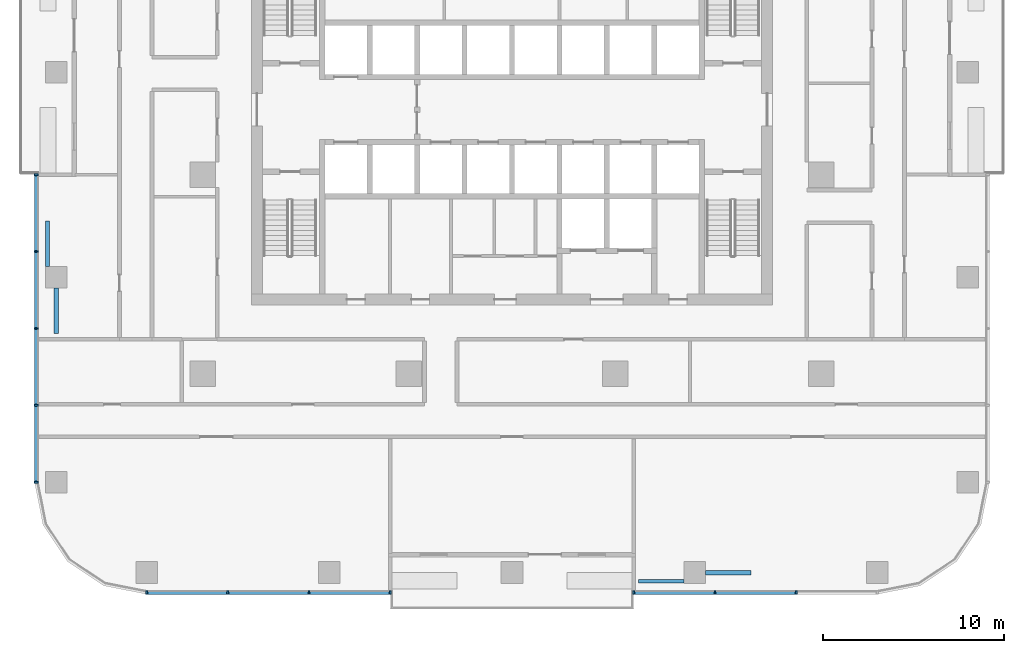
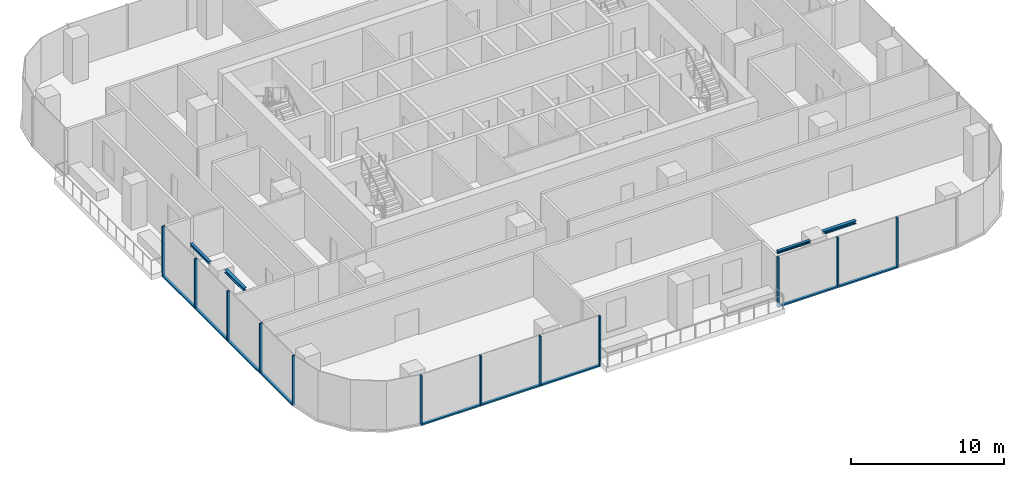
# One storey, part 2 of 15: 21 members, 4 beams, 3 elements without a shape of their own.
"""IFC4 building model written with IfcOpenShell, lengths in metres."""

from ifc_helpers import new_model, si_unit, direction, frame, origin, origin_2d, place, context, subcontext, project, spatial, rectangle, i_section, extrude, material, material_profile, profile_set, type_object, element, aggregate, save


model = new_model("IFC4")

# Units and contexts
model_context = context("Model", 3, precision=1e-05, world=origin(), true_north=direction((0.0, 1.0)))
body_context = subcontext(model_context, "Body", "Model", "MODEL_VIEW")
ifc_project = project(units=[si_unit("LENGTHUNIT", "METRE"), si_unit("AREAUNIT", "SQUARE_METRE"), si_unit("VOLUMEUNIT", "CUBIC_METRE"), si_unit("PLANEANGLEUNIT", "RADIAN"), si_unit("MASSUNIT", "GRAM", prefix="KILO")], contexts=[model_context])

# Site, building, storey
site_placement = place(None, origin())
site = spatial("IfcSite", under=ifc_project, at=site_placement, CompositionType="ELEMENT")
building_placement = place(site_placement, origin())
building = spatial("IfcBuilding", under=site, at=building_placement, Name="Mopane Tessera Tower", CompositionType="ELEMENT")
storey_placement = place(building_placement, frame((0.0, 0.0, 177.0)))
storey = spatial("IfcBuildingStorey", under=building, at=storey_placement, Name="L36", CompositionType="ELEMENT", Elevation=177.0)

# Curtain wall, members
ifc_material_1 = material(Name="Aluminium frame", Category="aluminium")
curtain_wall_type = type_object("IfcCurtainWallType", Name="Unitised curtain wall", PredefinedType="NOTDEFINED", material=ifc_material_1)
curtain_wall_1_placement = place(storey_placement, origin())
curtain_wall_1 = element("IfcCurtainWall", 1, at=curtain_wall_1_placement, inside=storey, type_object=curtain_wall_type, Name="e:cw:L36:S:0", PredefinedType="NOTDEFINED")
ifc_material_2 = material(Name="Aluminium frame", Category="aluminium")
ifc_material_profile_1 = material_profile(ifc_material_2, rectangle(XDim=0.10009765625, YDim=0.199951171875, at=origin_2d()))
ifc_profile_set_1 = profile_set([ifc_material_profile_1], Name="Aluminium frame")
member_type_1 = type_object("IfcMemberType", Name="Aluminium mullion 100 x 200", PredefinedType="MULLION", material=ifc_profile_set_1)
member_1_placement = place(storey_placement, frame((-20.199951171875, -23.10009765625, -0.39990234375), z_axis=(0.0, 0.0, 1.0), x_axis=(1.0, 0.0, 0.0)))
member_1 = element("IfcMember", 2, at=member_1_placement, type_object=member_type_1, Name="e:cw:L36:S:0:mu0", PredefinedType="MULLION", context=body_context, shape_type="SweptSolid", body=[
    extrude(rectangle(XDim=0.10009765625, YDim=0.199951171875, at=origin_2d()), origin(), (0.0, 0.0, 1.0), 4.0),
])
member_2_placement = place(storey_placement, frame((-15.711181640625, -23.10009765625, -0.39990234375), z_axis=(0.0, 0.0, 1.0), x_axis=(1.0, 0.0, 0.0)))
member_2 = element("IfcMember", 3, at=member_2_placement, type_object=member_type_1, Name="e:cw:L36:S:0:mu1", PredefinedType="MULLION", context=body_context, shape_type="SweptSolid", body=[
    extrude(rectangle(XDim=0.10009765625, YDim=0.199951171875, at=origin_2d()), origin(), (0.0, 0.0, 1.0), 4.0),
])
member_3_placement = place(storey_placement, frame((-11.22216796875, -23.10009765625, -0.39990234375), z_axis=(0.0, 0.0, 1.0), x_axis=(1.0, 0.0, 0.0)))
member_3 = element("IfcMember", 4, at=member_3_placement, type_object=member_type_1, Name="e:cw:L36:S:0:mu2", PredefinedType="MULLION", context=body_context, shape_type="SweptSolid", body=[
    extrude(rectangle(XDim=0.10009765625, YDim=0.199951171875, at=origin_2d()), origin(), (0.0, 0.0, 1.0), 4.0),
])
member_4_placement = place(storey_placement, frame((-6.7333984375, -23.10009765625, -0.39990234375), z_axis=(0.0, 0.0, 1.0), x_axis=(1.0, 0.0, 0.0)))
member_4 = element("IfcMember", 5, at=member_4_placement, type_object=member_type_1, Name="e:cw:L36:S:0:mu3", PredefinedType="MULLION", context=body_context, shape_type="SweptSolid", body=[
    extrude(rectangle(XDim=0.10009765625, YDim=0.199951171875, at=origin_2d()), origin(), (0.0, 0.0, 1.0), 4.0),
])

curtain_wall_2_placement = place(storey_placement, origin())
curtain_wall_2 = element("IfcCurtainWall", 6, at=curtain_wall_2_placement, inside=storey, type_object=curtain_wall_type, Name="e:cw:L36:S:6", PredefinedType="NOTDEFINED")
member_5_placement = place(storey_placement, frame((6.7333984375, -23.10009765625, -0.39990234375), z_axis=(0.0, 0.0, 1.0), x_axis=(1.0, 0.0, 0.0)))
member_5 = element("IfcMember", 7, at=member_5_placement, type_object=member_type_1, Name="e:cw:L36:S:6:mu6", PredefinedType="MULLION", context=body_context, shape_type="SweptSolid", body=[
    extrude(rectangle(XDim=0.10009765625, YDim=0.199951171875, at=origin_2d()), origin(), (0.0, 0.0, 1.0), 4.0),
])
member_6_placement = place(storey_placement, frame((11.22216796875, -23.10009765625, -0.39990234375), z_axis=(0.0, 0.0, 1.0), x_axis=(1.0, 0.0, 0.0)))
member_6 = element("IfcMember", 8, at=member_6_placement, type_object=member_type_1, Name="e:cw:L36:S:6:mu7", PredefinedType="MULLION", context=body_context, shape_type="SweptSolid", body=[
    extrude(rectangle(XDim=0.10009765625, YDim=0.199951171875, at=origin_2d()), origin(), (0.0, 0.0, 1.0), 4.0),
])
member_7_placement = place(storey_placement, frame((15.711181640625, -23.10009765625, -0.39990234375), z_axis=(0.0, 0.0, 1.0), x_axis=(1.0, 0.0, 0.0)))
member_7 = element("IfcMember", 9, at=member_7_placement, type_object=member_type_1, Name="e:cw:L36:S:6:mu8", PredefinedType="MULLION", context=body_context, shape_type="SweptSolid", body=[
    extrude(rectangle(XDim=0.10009765625, YDim=0.199951171875, at=origin_2d()), origin(), (0.0, 0.0, 1.0), 4.0),
])

curtain_wall_3_placement = place(storey_placement, origin())
curtain_wall_3 = element("IfcCurtainWall", 10, at=curtain_wall_3_placement, inside=storey, type_object=curtain_wall_type, Name="e:cw:L36:W:4", PredefinedType="NOTDEFINED")
member_8_placement = place(storey_placement, frame((-26.300048828125, 0.0, -0.39990234375), z_axis=(0.0, 0.0, 1.0), x_axis=(0.0, -1.0, 0.0)))
member_8 = element("IfcMember", 11, at=member_8_placement, type_object=member_type_1, Name="e:cw:L36:W:4:mu4", PredefinedType="MULLION", context=body_context, shape_type="SweptSolid", body=[
    extrude(rectangle(XDim=0.10009765625, YDim=0.199951171875, at=origin_2d()), origin(), (0.0, 0.0, 1.0), 4.0),
])
member_9_placement = place(storey_placement, frame((-26.300048828125, -4.25, -0.39990234375), z_axis=(0.0, 0.0, 1.0), x_axis=(0.0, -1.0, 0.0)))
member_9 = element("IfcMember", 12, at=member_9_placement, type_object=member_type_1, Name="e:cw:L36:W:4:mu5", PredefinedType="MULLION", context=body_context, shape_type="SweptSolid", body=[
    extrude(rectangle(XDim=0.10009765625, YDim=0.199951171875, at=origin_2d()), origin(), (0.0, 0.0, 1.0), 4.0),
])
member_10_placement = place(storey_placement, frame((-26.300048828125, -8.5, -0.39990234375), z_axis=(0.0, 0.0, 1.0), x_axis=(0.0, -1.0, 0.0)))
member_10 = element("IfcMember", 13, at=member_10_placement, type_object=member_type_1, Name="e:cw:L36:W:4:mu6", PredefinedType="MULLION", context=body_context, shape_type="SweptSolid", body=[
    extrude(rectangle(XDim=0.10009765625, YDim=0.199951171875, at=origin_2d()), origin(), (0.0, 0.0, 1.0), 4.0),
])
member_11_placement = place(storey_placement, frame((-26.300048828125, -12.75, -0.39990234375), z_axis=(0.0, 0.0, 1.0), x_axis=(0.0, -1.0, 0.0)))
member_11 = element("IfcMember", 14, at=member_11_placement, type_object=member_type_1, Name="e:cw:L36:W:4:mu7", PredefinedType="MULLION", context=body_context, shape_type="SweptSolid", body=[
    extrude(rectangle(XDim=0.10009765625, YDim=0.199951171875, at=origin_2d()), origin(), (0.0, 0.0, 1.0), 4.0),
])
member_12_placement = place(storey_placement, frame((-26.300048828125, -17.0, -0.39990234375), z_axis=(0.0, 0.0, 1.0), x_axis=(0.0, -1.0, 0.0)))
member_12 = element("IfcMember", 15, at=member_12_placement, type_object=member_type_1, Name="e:cw:L36:W:4:mu8", PredefinedType="MULLION", context=body_context, shape_type="SweptSolid", body=[
    extrude(rectangle(XDim=0.10009765625, YDim=0.199951171875, at=origin_2d()), origin(), (0.0, 0.0, 1.0), 4.0),
])

# Member
ifc_material_3 = material(Name="Aluminium frame", Category="aluminium")
ifc_material_profile_2 = material_profile(ifc_material_3, rectangle(XDim=0.199951171875, YDim=0.1201171875, at=origin_2d()))
ifc_profile_set_2 = profile_set([ifc_material_profile_2], Name="Aluminium frame")
member_type_2 = type_object("IfcMemberType", Name="Aluminium transom 200 x 120", PredefinedType="USERDEFINED", material=ifc_profile_set_2)
member_13_placement = place(storey_placement, frame((-20.14990234375, -23.10009765625, -0.340087890625), z_axis=(1.0, 0.0, 0.0), x_axis=(0.0, 1.0, 0.0)))
member_13 = element("IfcMember", 16, at=member_13_placement, type_object=member_type_2, Name="e:cw:L36:S:0:tr0", ObjectType="TRANSOM", PredefinedType="USERDEFINED", context=body_context, shape_type="SweptSolid", body=[
    extrude(rectangle(XDim=0.199951171875, YDim=0.1201171875, at=origin_2d()), origin(), (0.0, 0.0, 1.0), 4.388671875),
])

member_14_placement = place(storey_placement, frame((-15.6611328125, -23.10009765625, -0.340087890625), z_axis=(1.0, 0.0, 0.0), x_axis=(0.0, 1.0, 0.0)))
member_14 = element("IfcMember", 17, at=member_14_placement, type_object=member_type_2, Name="e:cw:L36:S:0:tr1", ObjectType="TRANSOM", PredefinedType="USERDEFINED", context=body_context, shape_type="SweptSolid", body=[
    extrude(rectangle(XDim=0.199951171875, YDim=0.1201171875, at=origin_2d()), origin(), (0.0, 0.0, 1.0), 4.388916015625),
])

member_15_placement = place(storey_placement, frame((-11.172119140625, -23.10009765625, -0.340087890625), z_axis=(1.0, 0.0, 0.0), x_axis=(0.0, 1.0, 0.0)))
member_15 = element("IfcMember", 18, at=member_15_placement, type_object=member_type_2, Name="e:cw:L36:S:0:tr2", ObjectType="TRANSOM", PredefinedType="USERDEFINED", context=body_context, shape_type="SweptSolid", body=[
    extrude(rectangle(XDim=0.199951171875, YDim=0.1201171875, at=origin_2d()), origin(), (0.0, 0.0, 1.0), 4.388671875),
])

aggregate(curtain_wall_1, [member_1, member_2, member_3, member_4, member_13, member_14, member_15])

member_16_placement = place(storey_placement, frame((6.783447265625, -23.10009765625, -0.340087890625), z_axis=(1.0, 0.0, 0.0), x_axis=(0.0, 1.0, 0.0)))
member_16 = element("IfcMember", 19, at=member_16_placement, type_object=member_type_2, Name="e:cw:L36:S:6:tr6", ObjectType="TRANSOM", PredefinedType="USERDEFINED", context=body_context, shape_type="SweptSolid", body=[
    extrude(rectangle(XDim=0.199951171875, YDim=0.1201171875, at=origin_2d()), origin(), (0.0, 0.0, 1.0), 4.388671875),
])

member_17_placement = place(storey_placement, frame((11.272216796875, -23.10009765625, -0.340087890625), z_axis=(1.0, 0.0, 0.0), x_axis=(0.0, 1.0, 0.0)))
member_17 = element("IfcMember", 20, at=member_17_placement, type_object=member_type_2, Name="e:cw:L36:S:6:tr7", ObjectType="TRANSOM", PredefinedType="USERDEFINED", context=body_context, shape_type="SweptSolid", body=[
    extrude(rectangle(XDim=0.199951171875, YDim=0.1201171875, at=origin_2d()), origin(), (0.0, 0.0, 1.0), 4.388916015625),
])

aggregate(curtain_wall_2, [member_5, member_6, member_7, member_16, member_17])

member_18_placement = place(storey_placement, frame((-26.300048828125, -0.050048828125, -0.340087890625), z_axis=(0.0, -1.0, 0.0), x_axis=(1.0, 0.0, 0.0)))
member_18 = element("IfcMember", 21, at=member_18_placement, type_object=member_type_2, Name="e:cw:L36:W:4:tr4", ObjectType="TRANSOM", PredefinedType="USERDEFINED", context=body_context, shape_type="SweptSolid", body=[
    extrude(rectangle(XDim=0.199951171875, YDim=0.1201171875, at=origin_2d()), origin(), (0.0, 0.0, 1.0), 4.14990234375),
])

member_19_placement = place(storey_placement, frame((-26.300048828125, -4.300048828125, -0.340087890625), z_axis=(0.0, -1.0, 0.0), x_axis=(1.0, 0.0, 0.0)))
member_19 = element("IfcMember", 22, at=member_19_placement, type_object=member_type_2, Name="e:cw:L36:W:4:tr5", ObjectType="TRANSOM", PredefinedType="USERDEFINED", context=body_context, shape_type="SweptSolid", body=[
    extrude(rectangle(XDim=0.199951171875, YDim=0.1201171875, at=origin_2d()), origin(), (0.0, 0.0, 1.0), 4.14990234375),
])

member_20_placement = place(storey_placement, frame((-26.300048828125, -8.550048828125, -0.340087890625), z_axis=(0.0, -1.0, 0.0), x_axis=(1.0, 0.0, 0.0)))
member_20 = element("IfcMember", 23, at=member_20_placement, type_object=member_type_2, Name="e:cw:L36:W:4:tr6", ObjectType="TRANSOM", PredefinedType="USERDEFINED", context=body_context, shape_type="SweptSolid", body=[
    extrude(rectangle(XDim=0.199951171875, YDim=0.1201171875, at=origin_2d()), origin(), (0.0, 0.0, 1.0), 4.14990234375),
])

member_21_placement = place(storey_placement, frame((-26.300048828125, -12.800048828125, -0.340087890625), z_axis=(0.0, -1.0, 0.0), x_axis=(1.0, 0.0, 0.0)))
member_21 = element("IfcMember", 24, at=member_21_placement, type_object=member_type_2, Name="e:cw:L36:W:4:tr7", ObjectType="TRANSOM", PredefinedType="USERDEFINED", context=body_context, shape_type="SweptSolid", body=[
    extrude(rectangle(XDim=0.199951171875, YDim=0.1201171875, at=origin_2d()), origin(), (0.0, 0.0, 1.0), 4.14990234375),
])

aggregate(curtain_wall_3, [member_8, member_9, member_10, member_11, member_12, member_18, member_19, member_20, member_21])

# Beams
ifc_material_4 = material(Name="Structural steel S460", Category="steel")
ifc_material_profile_3 = material_profile(ifc_material_4, i_section(OverallWidth=0.239990234375, OverallDepth=0.239990234375, WebThickness=0.010009765625, FlangeThickness=0.01708984375, FilletRadius=0.02099609375, at=origin_2d()))
ifc_profile_set_3 = profile_set([ifc_material_profile_3], Name="Structural steel S460")
beam_type_1 = type_object("IfcBeamType", Name="Terrace spandrel beam HE 240 B", PredefinedType="SPANDREL", material=ifc_profile_set_3)
for number, where, z_axis, x_axis, name in (
    (25, (-25.199951171875, -6.269775390625, 3.47998046875), (0.0, -1.0, 0.0), (1.0, 0.0, 0.0), "Terrace spandrel beam N1 L37"),
    (26, (10.703125, -22.0, 3.47998046875), (1.0, 0.0, 0.0), (0.0, 1.0, 0.0), "Terrace spandrel beam N2 L37"),
):
    element("IfcBeam", number, at=place(storey_placement, frame(where, z_axis=z_axis, x_axis=x_axis)), inside=storey, type_object=beam_type_1, Name=name, PredefinedType="SPANDREL", context=body_context, shape_type="SweptSolid", body=[
        extrude(i_section(OverallWidth=0.239990234375, OverallDepth=0.239990234375, WebThickness=0.010009765625, FlangeThickness=0.01708984375, FilletRadius=0.02099609375, at=origin_2d()), origin(), (0.0, 0.0, 1.0), 2.5),
    ])
ifc_material_5 = material(Name="Structural steel S460", Category="steel")
ifc_material_profile_4 = material_profile(ifc_material_5, i_section(OverallWidth=0.199951171875, OverallDepth=0.199951171875, WebThickness=0.009033203125, FlangeThickness=0.014892578125, FilletRadius=0.01806640625, at=origin_2d()))
ifc_profile_set_4 = profile_set([ifc_material_profile_4], Name="Structural steel S460")
beam_type_2 = type_object("IfcBeamType", Name="Terrace trimmer beam HE 200 B", PredefinedType="BEAM", material=ifc_profile_set_4)
for number, where, z_axis, x_axis, name in (
    (27, (-25.679931640625, -5.063720703125, 3.5), (0.0, 1.0, 0.0), (-1.0, 0.0, 0.0), "Terrace trimmer beam N1 L37"),
    (28, (9.4970703125, -22.47998046875, 3.5), (-1.0, 0.0, 0.0), (0.0, -1.0, 0.0), "Terrace trimmer beam N2 L37"),
):
    element("IfcBeam", number, at=place(storey_placement, frame(where, z_axis=z_axis, x_axis=x_axis)), inside=storey, type_object=beam_type_2, Name=name, PredefinedType="BEAM", context=body_context, shape_type="SweptSolid", body=[
        extrude(i_section(OverallWidth=0.199951171875, OverallDepth=0.199951171875, WebThickness=0.009033203125, FlangeThickness=0.014892578125, FilletRadius=0.01806640625, at=origin_2d()), origin(), (0.0, 0.0, 1.0), 2.5),
    ])

save(model, "model.ifc")
